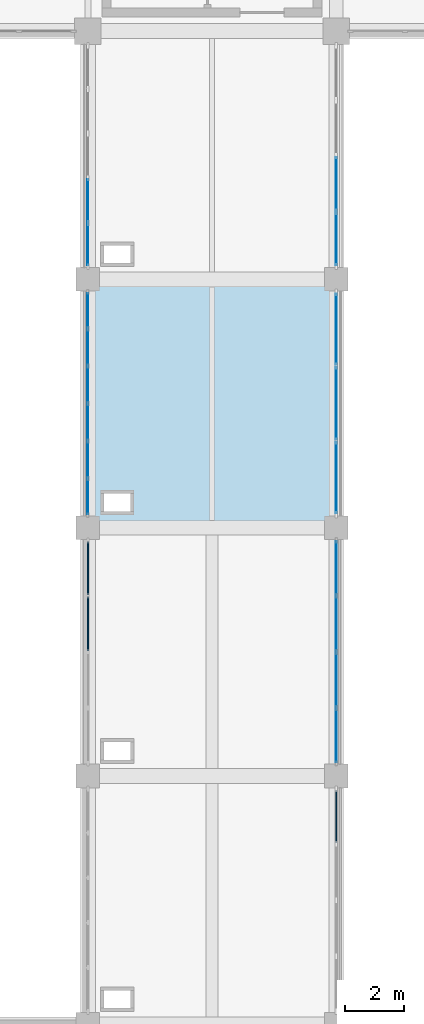
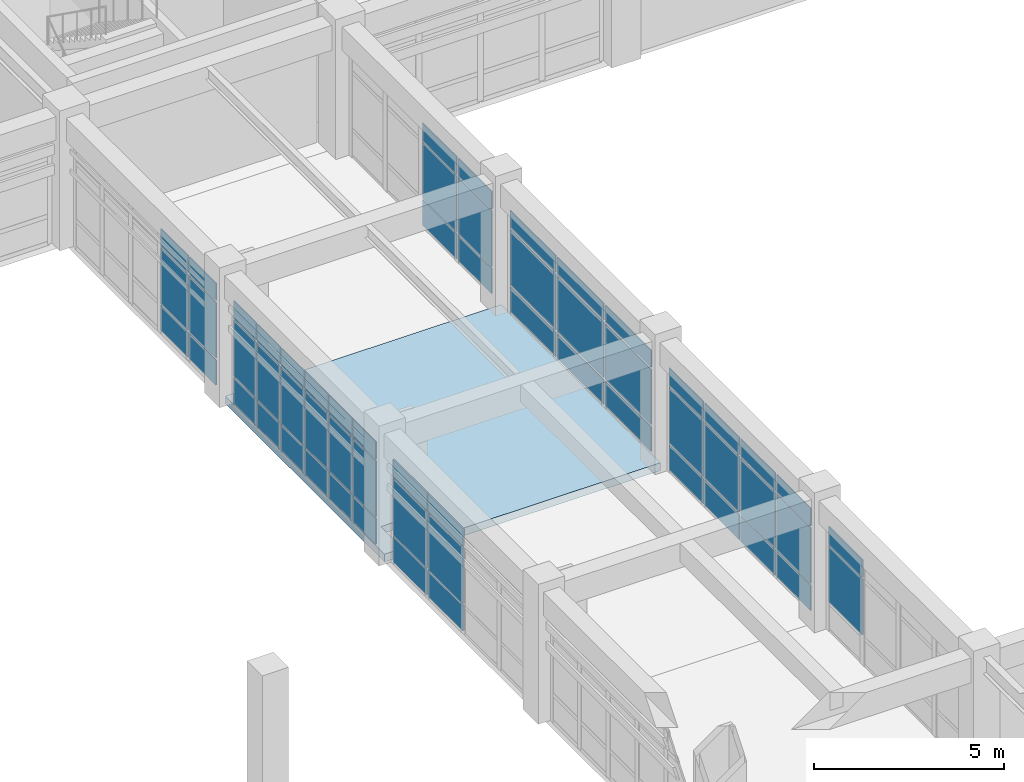
# One storey, part 65 of 99: 59 plates, 1 slab, 7 elements without a shape of their own.
"""IFC4 building model written with IfcOpenShell, lengths in metres."""

from ifc_helpers import new_model, si_unit, direction, frame, origin, origin_2d, place, context, subcontext, project, spatial, polyline, rectangle, outline, extrude, material, layer, layer_set, type_object, element, aggregate, save


model = new_model("IFC4")

# Units and contexts
model_context = context("Model", 3, precision=1e-05, world=origin(), true_north=direction((0.0, 1.0)))
body_context = subcontext(model_context, "Body", "Model", "MODEL_VIEW")
ifc_project = project(units=[si_unit("LENGTHUNIT", "METRE"), si_unit("AREAUNIT", "SQUARE_METRE"), si_unit("VOLUMEUNIT", "CUBIC_METRE"), si_unit("PLANEANGLEUNIT", "RADIAN"), si_unit("MASSUNIT", "GRAM", prefix="KILO")], contexts=[model_context])

# Site, building, storey
site_placement = place(None, origin())
site = spatial("IfcSite", under=ifc_project, at=site_placement, CompositionType="ELEMENT")
building_placement = place(site_placement, origin())
building = spatial("IfcBuilding", under=site, at=building_placement, Name="Porcellanite Civic Hall", CompositionType="ELEMENT")
storey_placement = place(building_placement, frame((0.0, 0.0, 5.760009765625)))
storey = spatial("IfcBuildingStorey", under=building, at=storey_placement, Name="L01", CompositionType="ELEMENT", Elevation=5.760009765625)

# Curtain wall, plates
ifc_material_1 = material(Name="Anodised aluminium and solar laminated glass", Category="aluminium")
ifc_layer_1 = layer(ifc_material_1, 0.179931640625)
ifc_layer_set_1 = layer_set([ifc_layer_1], Name="Anodised aluminium and solar laminated glass")
curtain_wall_type_1 = type_object("IfcCurtainWallType", Name="CW-SYS06", PredefinedType="NOTDEFINED", material=ifc_layer_set_1)
curtain_wall_1_placement = place(storey_placement, origin())
curtain_wall_1 = element("IfcCurtainWall", 1, at=curtain_wall_1_placement, inside=storey, type_object=curtain_wall_type_1, Name="Curtain wall CW-080", PredefinedType="NOTDEFINED")
ifc_material_2 = material(Name="Cyclone laminated solar-control low-E glass", Category="glass")
ifc_layer_2 = layer(ifc_material_2, 0.02392578125)
ifc_layer_set_2 = layer_set([ifc_layer_2], Name="Cyclone laminated solar-control low-E glass")
plate_type_1 = type_object("IfcPlateType", Name="CWP-01", PredefinedType="CURTAIN_PANEL", material=ifc_layer_set_2)
plate_1_placement = place(storey_placement, frame((58.800048828125, 82.633056640625, 0.0498046875), z_axis=(0.0, 0.0, 1.0), x_axis=(0.0, -1.0, 0.0)))
plate_1 = element("IfcPlate", 2, at=plate_1_placement, type_object=plate_type_1, Name="CW-080 panel 1.1", PredefinedType="CURTAIN_PANEL", context=body_context, shape_type="SweptSolid", body=[
    extrude(rectangle(XDim=1.802001953125, YDim=0.02392578125, at=origin_2d()), origin(), (0.0, 0.0, 1.0), 0.824951171875),
])
plate_2_placement = place(storey_placement, frame((58.800048828125, 82.633056640625, 0.9248046875), z_axis=(0.0, 0.0, 1.0), x_axis=(0.0, -1.0, 0.0)))
plate_2 = element("IfcPlate", 3, at=plate_2_placement, type_object=plate_type_1, Name="CW-080 panel 1.2", PredefinedType="CURTAIN_PANEL", context=body_context, shape_type="SweptSolid", body=[
    extrude(rectangle(XDim=1.802001953125, YDim=0.02392578125, at=origin_2d()), origin(), (0.0, 0.0, 1.0), 1.800048828125),
])
plate_3_placement = place(storey_placement, frame((58.800048828125, 82.633056640625, 2.77490234375), z_axis=(0.0, 0.0, 1.0), x_axis=(0.0, -1.0, 0.0)))
plate_3 = element("IfcPlate", 4, at=plate_3_placement, type_object=plate_type_1, Name="CW-080 panel 1.3", PredefinedType="CURTAIN_PANEL", context=body_context, shape_type="SweptSolid", body=[
    extrude(rectangle(XDim=1.802001953125, YDim=0.02392578125, at=origin_2d()), origin(), (0.0, 0.0, 1.0), 0.574951171875),
])
plate_4_placement = place(storey_placement, frame((58.800048828125, 80.749755859375, 0.0498046875), z_axis=(0.0, 0.0, 1.0), x_axis=(0.0, -1.0, 0.0)))
plate_4 = element("IfcPlate", 5, at=plate_4_placement, type_object=plate_type_1, Name="CW-080 panel 2.1", PredefinedType="CURTAIN_PANEL", context=body_context, shape_type="SweptSolid", body=[
    extrude(rectangle(XDim=1.83447265625, YDim=0.02392578125, at=origin_2d()), origin(), (0.0, 0.0, 1.0), 0.824951171875),
])
plate_5_placement = place(storey_placement, frame((58.800048828125, 80.749755859375, 0.9248046875), z_axis=(0.0, 0.0, 1.0), x_axis=(0.0, -1.0, 0.0)))
plate_5 = element("IfcPlate", 6, at=plate_5_placement, type_object=plate_type_1, Name="CW-080 panel 2.2", PredefinedType="CURTAIN_PANEL", context=body_context, shape_type="SweptSolid", body=[
    extrude(rectangle(XDim=1.83447265625, YDim=0.02392578125, at=origin_2d()), origin(), (0.0, 0.0, 1.0), 1.800048828125),
])
plate_6_placement = place(storey_placement, frame((58.800048828125, 80.749755859375, 2.77490234375), z_axis=(0.0, 0.0, 1.0), x_axis=(0.0, -1.0, 0.0)))
plate_6 = element("IfcPlate", 7, at=plate_6_placement, type_object=plate_type_1, Name="CW-080 panel 2.3", PredefinedType="CURTAIN_PANEL", context=body_context, shape_type="SweptSolid", body=[
    extrude(rectangle(XDim=1.83447265625, YDim=0.02392578125, at=origin_2d()), origin(), (0.0, 0.0, 1.0), 0.574951171875),
])
plate_7_placement = place(storey_placement, frame((58.800048828125, 78.850341796875, 0.0498046875), z_axis=(0.0, 0.0, 1.0), x_axis=(0.0, -1.0, 0.0)))
plate_7 = element("IfcPlate", 8, at=plate_7_placement, type_object=plate_type_1, Name="CW-080 panel 3.1", PredefinedType="CURTAIN_PANEL", context=body_context, shape_type="SweptSolid", body=[
    extrude(rectangle(XDim=1.83447265625, YDim=0.02392578125, at=origin_2d()), origin(), (0.0, 0.0, 1.0), 0.824951171875),
])
plate_8_placement = place(storey_placement, frame((58.800048828125, 78.850341796875, 0.9248046875), z_axis=(0.0, 0.0, 1.0), x_axis=(0.0, -1.0, 0.0)))
plate_8 = element("IfcPlate", 9, at=plate_8_placement, type_object=plate_type_1, Name="CW-080 panel 3.2", PredefinedType="CURTAIN_PANEL", context=body_context, shape_type="SweptSolid", body=[
    extrude(rectangle(XDim=1.83447265625, YDim=0.02392578125, at=origin_2d()), origin(), (0.0, 0.0, 1.0), 1.800048828125),
])
plate_9_placement = place(storey_placement, frame((58.800048828125, 78.850341796875, 2.77490234375), z_axis=(0.0, 0.0, 1.0), x_axis=(0.0, -1.0, 0.0)))
plate_9 = element("IfcPlate", 10, at=plate_9_placement, type_object=plate_type_1, Name="CW-080 panel 3.3", PredefinedType="CURTAIN_PANEL", context=body_context, shape_type="SweptSolid", body=[
    extrude(rectangle(XDim=1.83447265625, YDim=0.02392578125, at=origin_2d()), origin(), (0.0, 0.0, 1.0), 0.574951171875),
])
plate_10_placement = place(storey_placement, frame((58.800048828125, 76.967041015625, 0.0498046875), z_axis=(0.0, 0.0, 1.0), x_axis=(0.0, -1.0, 0.0)))
plate_10 = element("IfcPlate", 11, at=plate_10_placement, type_object=plate_type_1, Name="CW-080 panel 4.1", PredefinedType="CURTAIN_PANEL", context=body_context, shape_type="SweptSolid", body=[
    extrude(rectangle(XDim=1.802001953125, YDim=0.02392578125, at=origin_2d()), origin(), (0.0, 0.0, 1.0), 0.824951171875),
])
plate_11_placement = place(storey_placement, frame((58.800048828125, 76.967041015625, 0.9248046875), z_axis=(0.0, 0.0, 1.0), x_axis=(0.0, -1.0, 0.0)))
plate_11 = element("IfcPlate", 12, at=plate_11_placement, type_object=plate_type_1, Name="CW-080 panel 4.2", PredefinedType="CURTAIN_PANEL", context=body_context, shape_type="SweptSolid", body=[
    extrude(rectangle(XDim=1.802001953125, YDim=0.02392578125, at=origin_2d()), origin(), (0.0, 0.0, 1.0), 1.800048828125),
])
plate_12_placement = place(storey_placement, frame((58.800048828125, 76.967041015625, 2.77490234375), z_axis=(0.0, 0.0, 1.0), x_axis=(0.0, -1.0, 0.0)))
plate_12 = element("IfcPlate", 13, at=plate_12_placement, type_object=plate_type_1, Name="CW-080 panel 4.3", PredefinedType="CURTAIN_PANEL", context=body_context, shape_type="SweptSolid", body=[
    extrude(rectangle(XDim=1.802001953125, YDim=0.02392578125, at=origin_2d()), origin(), (0.0, 0.0, 1.0), 0.574951171875),
])
aggregate(curtain_wall_1, [plate_1, plate_2, plate_3, plate_4, plate_5, plate_6, plate_7, plate_8, plate_9, plate_10, plate_11, plate_12])

ifc_material_3 = material(Name="Anodised aluminium and solar laminated glass", Category="aluminium")
ifc_layer_3 = layer(ifc_material_3, 0.179931640625)
ifc_layer_set_3 = layer_set([ifc_layer_3], Name="Anodised aluminium and solar laminated glass")
curtain_wall_type_2 = type_object("IfcCurtainWallType", Name="CW-SYS07", PredefinedType="NOTDEFINED", material=ifc_layer_set_3)
curtain_wall_2_placement = place(storey_placement, origin())
curtain_wall_2 = element("IfcCurtainWall", 14, at=curtain_wall_2_placement, inside=storey, type_object=curtain_wall_type_2, Name="Curtain wall CW-081", PredefinedType="NOTDEFINED")
ifc_material_4 = material(Name="Cyclone laminated solar-control low-E glass", Category="glass")
ifc_layer_4 = layer(ifc_material_4, 0.02587890625)
ifc_layer_set_4 = layer_set([ifc_layer_4], Name="Cyclone laminated solar-control low-E glass")
plate_type_2 = type_object("IfcPlateType", Name="CWP-02", PredefinedType="CURTAIN_PANEL", material=ifc_layer_set_4)
plate_13_placement = place(storey_placement, frame((50.39990234375, 85.049072265625, 0.0498046875), z_axis=(0.0, 0.0, 1.0), x_axis=(0.0, 1.0, 0.0)))
plate_13 = element("IfcPlate", 15, at=plate_13_placement, type_object=plate_type_2, Name="CW-081 panel 1.1", PredefinedType="CURTAIN_PANEL", context=body_context, shape_type="SweptSolid", body=[
    extrude(rectangle(XDim=1.17626953125, YDim=0.02587890625, at=origin_2d()), origin(), (0.0, 0.0, 1.0), 0.824951171875),
])
plate_14_placement = place(storey_placement, frame((50.39990234375, 85.049072265625, 0.9248046875), z_axis=(0.0, 0.0, 1.0), x_axis=(0.0, 1.0, 0.0)))
plate_14 = element("IfcPlate", 16, at=plate_14_placement, type_object=plate_type_2, Name="CW-081 panel 1.2", PredefinedType="CURTAIN_PANEL", context=body_context, shape_type="SweptSolid", body=[
    extrude(rectangle(XDim=1.17626953125, YDim=0.02587890625, at=origin_2d()), origin(), (0.0, 0.0, 1.0), 1.800048828125),
])
plate_15_placement = place(storey_placement, frame((50.39990234375, 85.049072265625, 2.77490234375), z_axis=(0.0, 0.0, 1.0), x_axis=(0.0, 1.0, 0.0)))
plate_15 = element("IfcPlate", 17, at=plate_15_placement, type_object=plate_type_2, Name="CW-081 panel 1.3", PredefinedType="CURTAIN_PANEL", context=body_context, shape_type="SweptSolid", body=[
    extrude(rectangle(XDim=1.17626953125, YDim=0.02587890625, at=origin_2d()), origin(), (0.0, 0.0, 1.0), 0.574951171875),
])
plate_16_placement = place(storey_placement, frame((50.39990234375, 86.300537109375, 0.0498046875), z_axis=(0.0, 0.0, 1.0), x_axis=(0.0, 1.0, 0.0)))
plate_16 = element("IfcPlate", 18, at=plate_16_placement, type_object=plate_type_2, Name="CW-081 panel 2.1", PredefinedType="CURTAIN_PANEL", context=body_context, shape_type="SweptSolid", body=[
    extrude(rectangle(XDim=1.206298828125, YDim=0.02587890625, at=origin_2d()), origin(), (0.0, 0.0, 1.0), 0.824951171875),
])
plate_17_placement = place(storey_placement, frame((50.39990234375, 86.300537109375, 0.9248046875), z_axis=(0.0, 0.0, 1.0), x_axis=(0.0, 1.0, 0.0)))
plate_17 = element("IfcPlate", 19, at=plate_17_placement, type_object=plate_type_2, Name="CW-081 panel 2.2", PredefinedType="CURTAIN_PANEL", context=body_context, shape_type="SweptSolid", body=[
    extrude(rectangle(XDim=1.206298828125, YDim=0.02587890625, at=origin_2d()), origin(), (0.0, 0.0, 1.0), 1.800048828125),
])
plate_18_placement = place(storey_placement, frame((50.39990234375, 86.300537109375, 2.77490234375), z_axis=(0.0, 0.0, 1.0), x_axis=(0.0, 1.0, 0.0)))
plate_18 = element("IfcPlate", 20, at=plate_18_placement, type_object=plate_type_2, Name="CW-081 panel 2.3", PredefinedType="CURTAIN_PANEL", context=body_context, shape_type="SweptSolid", body=[
    extrude(rectangle(XDim=1.206298828125, YDim=0.02587890625, at=origin_2d()), origin(), (0.0, 0.0, 1.0), 0.574951171875),
])
plate_19_placement = place(storey_placement, frame((50.39990234375, 87.56689453125, 0.0498046875), z_axis=(0.0, 0.0, 1.0), x_axis=(0.0, 1.0, 0.0)))
plate_19 = element("IfcPlate", 21, at=plate_19_placement, type_object=plate_type_2, Name="CW-081 panel 3.1", PredefinedType="CURTAIN_PANEL", context=body_context, shape_type="SweptSolid", body=[
    extrude(rectangle(XDim=1.206298828125, YDim=0.02587890625, at=origin_2d()), origin(), (0.0, 0.0, 1.0), 0.824951171875),
])
plate_20_placement = place(storey_placement, frame((50.39990234375, 87.56689453125, 0.9248046875), z_axis=(0.0, 0.0, 1.0), x_axis=(0.0, 1.0, 0.0)))
plate_20 = element("IfcPlate", 22, at=plate_20_placement, type_object=plate_type_2, Name="CW-081 panel 3.2", PredefinedType="CURTAIN_PANEL", context=body_context, shape_type="SweptSolid", body=[
    extrude(rectangle(XDim=1.206298828125, YDim=0.02587890625, at=origin_2d()), origin(), (0.0, 0.0, 1.0), 1.800048828125),
])
plate_21_placement = place(storey_placement, frame((50.39990234375, 87.56689453125, 2.77490234375), z_axis=(0.0, 0.0, 1.0), x_axis=(0.0, 1.0, 0.0)))
plate_21 = element("IfcPlate", 23, at=plate_21_placement, type_object=plate_type_2, Name="CW-081 panel 3.3", PredefinedType="CURTAIN_PANEL", context=body_context, shape_type="SweptSolid", body=[
    extrude(rectangle(XDim=1.206298828125, YDim=0.02587890625, at=origin_2d()), origin(), (0.0, 0.0, 1.0), 0.574951171875),
])
plate_22_placement = place(storey_placement, frame((50.39990234375, 88.833251953125, 0.0498046875), z_axis=(0.0, 0.0, 1.0), x_axis=(0.0, 1.0, 0.0)))
plate_22 = element("IfcPlate", 24, at=plate_22_placement, type_object=plate_type_2, Name="CW-081 panel 4.1", PredefinedType="CURTAIN_PANEL", context=body_context, shape_type="SweptSolid", body=[
    extrude(rectangle(XDim=1.206298828125, YDim=0.02587890625, at=origin_2d()), origin(), (0.0, 0.0, 1.0), 0.824951171875),
])
plate_23_placement = place(storey_placement, frame((50.39990234375, 88.833251953125, 0.9248046875), z_axis=(0.0, 0.0, 1.0), x_axis=(0.0, 1.0, 0.0)))
plate_23 = element("IfcPlate", 25, at=plate_23_placement, type_object=plate_type_2, Name="CW-081 panel 4.2", PredefinedType="CURTAIN_PANEL", context=body_context, shape_type="SweptSolid", body=[
    extrude(rectangle(XDim=1.206298828125, YDim=0.02587890625, at=origin_2d()), origin(), (0.0, 0.0, 1.0), 1.800048828125),
])
plate_24_placement = place(storey_placement, frame((50.39990234375, 88.833251953125, 2.77490234375), z_axis=(0.0, 0.0, 1.0), x_axis=(0.0, 1.0, 0.0)))
plate_24 = element("IfcPlate", 26, at=plate_24_placement, type_object=plate_type_2, Name="CW-081 panel 4.3", PredefinedType="CURTAIN_PANEL", context=body_context, shape_type="SweptSolid", body=[
    extrude(rectangle(XDim=1.206298828125, YDim=0.02587890625, at=origin_2d()), origin(), (0.0, 0.0, 1.0), 0.574951171875),
])
plate_25_placement = place(storey_placement, frame((50.39990234375, 90.099609375, 0.0498046875), z_axis=(0.0, 0.0, 1.0), x_axis=(0.0, 1.0, 0.0)))
plate_25 = element("IfcPlate", 27, at=plate_25_placement, type_object=plate_type_2, Name="CW-081 panel 5.1", PredefinedType="CURTAIN_PANEL", context=body_context, shape_type="SweptSolid", body=[
    extrude(rectangle(XDim=1.206298828125, YDim=0.02587890625, at=origin_2d()), origin(), (0.0, 0.0, 1.0), 0.824951171875),
])
plate_26_placement = place(storey_placement, frame((50.39990234375, 90.099609375, 0.9248046875), z_axis=(0.0, 0.0, 1.0), x_axis=(0.0, 1.0, 0.0)))
plate_26 = element("IfcPlate", 28, at=plate_26_placement, type_object=plate_type_2, Name="CW-081 panel 5.2", PredefinedType="CURTAIN_PANEL", context=body_context, shape_type="SweptSolid", body=[
    extrude(rectangle(XDim=1.206298828125, YDim=0.02587890625, at=origin_2d()), origin(), (0.0, 0.0, 1.0), 1.800048828125),
])
plate_27_placement = place(storey_placement, frame((50.39990234375, 90.099609375, 2.77490234375), z_axis=(0.0, 0.0, 1.0), x_axis=(0.0, 1.0, 0.0)))
plate_27 = element("IfcPlate", 29, at=plate_27_placement, type_object=plate_type_2, Name="CW-081 panel 5.3", PredefinedType="CURTAIN_PANEL", context=body_context, shape_type="SweptSolid", body=[
    extrude(rectangle(XDim=1.206298828125, YDim=0.02587890625, at=origin_2d()), origin(), (0.0, 0.0, 1.0), 0.574951171875),
])
plate_28_placement = place(storey_placement, frame((50.39990234375, 91.350830078125, 0.0498046875), z_axis=(0.0, 0.0, 1.0), x_axis=(0.0, 1.0, 0.0)))
plate_28 = element("IfcPlate", 30, at=plate_28_placement, type_object=plate_type_2, Name="CW-081 panel 6.1", PredefinedType="CURTAIN_PANEL", context=body_context, shape_type="SweptSolid", body=[
    extrude(rectangle(XDim=1.17626953125, YDim=0.02587890625, at=origin_2d()), origin(), (0.0, 0.0, 1.0), 0.824951171875),
])
plate_29_placement = place(storey_placement, frame((50.39990234375, 91.350830078125, 0.9248046875), z_axis=(0.0, 0.0, 1.0), x_axis=(0.0, 1.0, 0.0)))
plate_29 = element("IfcPlate", 31, at=plate_29_placement, type_object=plate_type_2, Name="CW-081 panel 6.2", PredefinedType="CURTAIN_PANEL", context=body_context, shape_type="SweptSolid", body=[
    extrude(rectangle(XDim=1.17626953125, YDim=0.02587890625, at=origin_2d()), origin(), (0.0, 0.0, 1.0), 1.800048828125),
])
plate_30_placement = place(storey_placement, frame((50.39990234375, 91.350830078125, 2.77490234375), z_axis=(0.0, 0.0, 1.0), x_axis=(0.0, 1.0, 0.0)))
plate_30 = element("IfcPlate", 32, at=plate_30_placement, type_object=plate_type_2, Name="CW-081 panel 6.3", PredefinedType="CURTAIN_PANEL", context=body_context, shape_type="SweptSolid", body=[
    extrude(rectangle(XDim=1.17626953125, YDim=0.02587890625, at=origin_2d()), origin(), (0.0, 0.0, 1.0), 0.574951171875),
])
aggregate(curtain_wall_2, [plate_13, plate_14, plate_15, plate_16, plate_17, plate_18, plate_19, plate_20, plate_21, plate_22, plate_23, plate_24, plate_25, plate_26, plate_27, plate_28, plate_29, plate_30])

ifc_material_5 = material(Name="Anodised aluminium and solar laminated glass", Category="aluminium")
ifc_layer_5 = layer(ifc_material_5, 0.179931640625)
ifc_layer_set_5 = layer_set([ifc_layer_5], Name="Anodised aluminium and solar laminated glass")
curtain_wall_type_3 = type_object("IfcCurtainWallType", Name="CW-SYS08", PredefinedType="NOTDEFINED", material=ifc_layer_set_5)
curtain_wall_3_placement = place(storey_placement, origin())
curtain_wall_3 = element("IfcCurtainWall", 33, at=curtain_wall_3_placement, inside=storey, type_object=curtain_wall_type_3, Name="Curtain wall CW-082", PredefinedType="NOTDEFINED")
ifc_material_6 = material(Name="Cyclone laminated solar-control low-E glass", Category="glass")
ifc_layer_6 = layer(ifc_material_6, 0.028076171875)
ifc_layer_set_6 = layer_set([ifc_layer_6], Name="Cyclone laminated solar-control low-E glass")
plate_type_3 = type_object("IfcPlateType", Name="CWP-03", PredefinedType="CURTAIN_PANEL", material=ifc_layer_set_6)
plate_31_placement = place(storey_placement, frame((58.800048828125, 90.712646484375, 0.070068359375), z_axis=(0.0, 0.0, 1.0), x_axis=(0.0, -1.0, 0.0)))
plate_31 = element("IfcPlate", 34, at=plate_31_placement, type_object=plate_type_3, Name="CW-082 panel 1.1", PredefinedType="CURTAIN_PANEL", context=body_context, shape_type="SweptSolid", body=[
    extrude(rectangle(XDim=2.41259765625, YDim=0.028076171875, at=origin_2d()), origin(), (0.0, 0.0, 1.0), 0.794921875),
])
plate_32_placement = place(storey_placement, frame((58.800048828125, 90.712646484375, 0.93505859375), z_axis=(0.0, 0.0, 1.0), x_axis=(0.0, -1.0, 0.0)))
plate_32 = element("IfcPlate", 35, at=plate_32_placement, type_object=plate_type_3, Name="CW-082 panel 1.2", PredefinedType="CURTAIN_PANEL", context=body_context, shape_type="SweptSolid", body=[
    extrude(rectangle(XDim=2.41259765625, YDim=0.028076171875, at=origin_2d()), origin(), (0.0, 0.0, 1.0), 1.780029296875),
])
plate_33_placement = place(storey_placement, frame((58.800048828125, 90.712646484375, 2.784912109375), z_axis=(0.0, 0.0, 1.0), x_axis=(0.0, -1.0, 0.0)))
plate_33 = element("IfcPlate", 36, at=plate_33_placement, type_object=plate_type_3, Name="CW-082 panel 1.3", PredefinedType="CURTAIN_PANEL", context=body_context, shape_type="SweptSolid", body=[
    extrude(rectangle(XDim=2.41259765625, YDim=0.028076171875, at=origin_2d()), origin(), (0.0, 0.0, 1.0), 0.544921875),
])
plate_34_placement = place(storey_placement, frame((58.800048828125, 88.199951171875, 0.070068359375), z_axis=(0.0, 0.0, 1.0), x_axis=(0.0, -1.0, 0.0)))
plate_34 = element("IfcPlate", 37, at=plate_34_placement, type_object=plate_type_3, Name="CW-082 panel 2.1", PredefinedType="CURTAIN_PANEL", context=body_context, shape_type="SweptSolid", body=[
    extrude(rectangle(XDim=2.45263671875, YDim=0.028076171875, at=origin_2d()), origin(), (0.0, 0.0, 1.0), 0.794921875),
])
plate_35_placement = place(storey_placement, frame((58.800048828125, 88.199951171875, 0.93505859375), z_axis=(0.0, 0.0, 1.0), x_axis=(0.0, -1.0, 0.0)))
plate_35 = element("IfcPlate", 38, at=plate_35_placement, type_object=plate_type_3, Name="CW-082 panel 2.2", PredefinedType="CURTAIN_PANEL", context=body_context, shape_type="SweptSolid", body=[
    extrude(rectangle(XDim=2.45263671875, YDim=0.028076171875, at=origin_2d()), origin(), (0.0, 0.0, 1.0), 1.780029296875),
])
plate_36_placement = place(storey_placement, frame((58.800048828125, 88.199951171875, 2.784912109375), z_axis=(0.0, 0.0, 1.0), x_axis=(0.0, -1.0, 0.0)))
plate_36 = element("IfcPlate", 39, at=plate_36_placement, type_object=plate_type_3, Name="CW-082 panel 2.3", PredefinedType="CURTAIN_PANEL", context=body_context, shape_type="SweptSolid", body=[
    extrude(rectangle(XDim=2.45263671875, YDim=0.028076171875, at=origin_2d()), origin(), (0.0, 0.0, 1.0), 0.544921875),
])
plate_37_placement = place(storey_placement, frame((58.800048828125, 85.687255859375, 0.070068359375), z_axis=(0.0, 0.0, 1.0), x_axis=(0.0, -1.0, 0.0)))
plate_37 = element("IfcPlate", 40, at=plate_37_placement, type_object=plate_type_3, Name="CW-082 panel 3.1", PredefinedType="CURTAIN_PANEL", context=body_context, shape_type="SweptSolid", body=[
    extrude(rectangle(XDim=2.41259765625, YDim=0.028076171875, at=origin_2d()), origin(), (0.0, 0.0, 1.0), 0.794921875),
])
plate_38_placement = place(storey_placement, frame((58.800048828125, 85.687255859375, 0.93505859375), z_axis=(0.0, 0.0, 1.0), x_axis=(0.0, -1.0, 0.0)))
plate_38 = element("IfcPlate", 41, at=plate_38_placement, type_object=plate_type_3, Name="CW-082 panel 3.2", PredefinedType="CURTAIN_PANEL", context=body_context, shape_type="SweptSolid", body=[
    extrude(rectangle(XDim=2.41259765625, YDim=0.028076171875, at=origin_2d()), origin(), (0.0, 0.0, 1.0), 1.780029296875),
])
plate_39_placement = place(storey_placement, frame((58.800048828125, 85.687255859375, 2.784912109375), z_axis=(0.0, 0.0, 1.0), x_axis=(0.0, -1.0, 0.0)))
plate_39 = element("IfcPlate", 42, at=plate_39_placement, type_object=plate_type_3, Name="CW-082 panel 3.3", PredefinedType="CURTAIN_PANEL", context=body_context, shape_type="SweptSolid", body=[
    extrude(rectangle(XDim=2.41259765625, YDim=0.028076171875, at=origin_2d()), origin(), (0.0, 0.0, 1.0), 0.544921875),
])
aggregate(curtain_wall_3, [plate_31, plate_32, plate_33, plate_34, plate_35, plate_36, plate_37, plate_38, plate_39])

ifc_material_7 = material(Name="Anodised aluminium and solar laminated glass", Category="aluminium")
ifc_layer_7 = layer(ifc_material_7, 0.179931640625)
ifc_layer_set_7 = layer_set([ifc_layer_7], Name="Anodised aluminium and solar laminated glass")
curtain_wall_type_4 = type_object("IfcCurtainWallType", Name="CW-SYS01", PredefinedType="NOTDEFINED", material=ifc_layer_set_7)
curtain_wall_4_placement = place(storey_placement, origin())
curtain_wall_4 = element("IfcCurtainWall", 43, at=curtain_wall_4_placement, inside=storey, type_object=curtain_wall_type_4, Name="Curtain wall CW-083", PredefinedType="NOTDEFINED")
ifc_material_8 = material(Name="Cyclone laminated solar-control low-E glass", Category="glass")
ifc_layer_8 = layer(ifc_material_8, 0.030029296875)
ifc_layer_set_8 = layer_set([ifc_layer_8], Name="Cyclone laminated solar-control low-E glass")
plate_type_4 = type_object("IfcPlateType", Name="CWP-04", PredefinedType="CURTAIN_PANEL", material=ifc_layer_set_8)
plate_40_placement = place(storey_placement, frame((50.39990234375, 93.5732421875, 0.06005859375), z_axis=(0.0, 0.0, 1.0), x_axis=(0.0, 1.0, 0.0)))
plate_40 = element("IfcPlate", 44, at=plate_40_placement, type_object=plate_type_4, Name="CW-083 panel 1.1", PredefinedType="CURTAIN_PANEL", context=body_context, shape_type="SweptSolid", body=[
    extrude(rectangle(XDim=1.404541015625, YDim=0.030029296875, at=origin_2d()), origin(), (0.0, 0.0, 1.0), 0.81005859375),
])
plate_41_placement = place(storey_placement, frame((50.39990234375, 93.5732421875, 0.929931640625), z_axis=(0.0, 0.0, 1.0), x_axis=(0.0, 1.0, 0.0)))
plate_41 = element("IfcPlate", 45, at=plate_41_placement, type_object=plate_type_4, Name="CW-083 panel 1.2", PredefinedType="CURTAIN_PANEL", context=body_context, shape_type="SweptSolid", body=[
    extrude(rectangle(XDim=1.404541015625, YDim=0.030029296875, at=origin_2d()), origin(), (0.0, 0.0, 1.0), 1.7900390625),
])
plate_42_placement = place(storey_placement, frame((50.39990234375, 93.5732421875, 2.780029296875), z_axis=(0.0, 0.0, 1.0), x_axis=(0.0, 1.0, 0.0)))
plate_42 = element("IfcPlate", 46, at=plate_42_placement, type_object=plate_type_4, Name="CW-083 panel 1.3", PredefinedType="CURTAIN_PANEL", context=body_context, shape_type="SweptSolid", body=[
    extrude(rectangle(XDim=1.404541015625, YDim=0.030029296875, at=origin_2d()), origin(), (0.0, 0.0, 1.0), 0.56005859375),
])
plate_43_placement = place(storey_placement, frame((50.39990234375, 95.0654296875, 0.06005859375), z_axis=(0.0, 0.0, 1.0), x_axis=(0.0, 1.0, 0.0)))
plate_43 = element("IfcPlate", 47, at=plate_43_placement, type_object=plate_type_4, Name="CW-083 panel 2.1", PredefinedType="CURTAIN_PANEL", context=body_context, shape_type="SweptSolid", body=[
    extrude(rectangle(XDim=1.439697265625, YDim=0.030029296875, at=origin_2d()), origin(), (0.0, 0.0, 1.0), 0.81005859375),
])
plate_44_placement = place(storey_placement, frame((50.39990234375, 95.0654296875, 0.929931640625), z_axis=(0.0, 0.0, 1.0), x_axis=(0.0, 1.0, 0.0)))
plate_44 = element("IfcPlate", 48, at=plate_44_placement, type_object=plate_type_4, Name="CW-083 panel 2.2", PredefinedType="CURTAIN_PANEL", context=body_context, shape_type="SweptSolid", body=[
    extrude(rectangle(XDim=1.439697265625, YDim=0.030029296875, at=origin_2d()), origin(), (0.0, 0.0, 1.0), 1.7900390625),
])
plate_45_placement = place(storey_placement, frame((50.39990234375, 95.0654296875, 2.780029296875), z_axis=(0.0, 0.0, 1.0), x_axis=(0.0, 1.0, 0.0)))
plate_45 = element("IfcPlate", 49, at=plate_45_placement, type_object=plate_type_4, Name="CW-083 panel 2.3", PredefinedType="CURTAIN_PANEL", context=body_context, shape_type="SweptSolid", body=[
    extrude(rectangle(XDim=1.439697265625, YDim=0.030029296875, at=origin_2d()), origin(), (0.0, 0.0, 1.0), 0.56005859375),
])
aggregate(curtain_wall_4, [plate_40, plate_41, plate_42, plate_43, plate_44, plate_45])

ifc_material_9 = material(Name="Anodised aluminium and solar laminated glass", Category="aluminium")
ifc_layer_9 = layer(ifc_material_9, 0.179931640625)
ifc_layer_set_9 = layer_set([ifc_layer_9], Name="Anodised aluminium and solar laminated glass")
curtain_wall_type_5 = type_object("IfcCurtainWallType", Name="CW-SYS03", PredefinedType="NOTDEFINED", material=ifc_layer_set_9)
curtain_wall_5_placement = place(storey_placement, origin())
curtain_wall_5 = element("IfcCurtainWall", 50, at=curtain_wall_5_placement, inside=storey, type_object=curtain_wall_type_5, Name="Curtain wall CW-084", PredefinedType="NOTDEFINED")
ifc_material_10 = material(Name="Cyclone laminated solar-control low-E glass", Category="glass")
ifc_layer_10 = layer(ifc_material_10, 0.031982421875)
ifc_layer_set_10 = layer_set([ifc_layer_10], Name="Cyclone laminated solar-control low-E glass")
plate_type_5 = type_object("IfcPlateType", Name="CWP-05", PredefinedType="CURTAIN_PANEL", material=ifc_layer_set_10)
plate_46_placement = place(storey_placement, frame((58.800048828125, 95.631591796875, 0.054931640625), z_axis=(0.0, 0.0, 1.0), x_axis=(0.0, -1.0, 0.0)))
plate_46 = element("IfcPlate", 51, at=plate_46_placement, type_object=plate_type_5, Name="CW-084 panel 3.1", PredefinedType="CURTAIN_PANEL", context=body_context, shape_type="SweptSolid", body=[
    extrude(rectangle(XDim=1.806884765625, YDim=0.031982421875, at=origin_2d()), origin(), (0.0, 0.0, 1.0), 0.8173828125),
])
plate_47_placement = place(storey_placement, frame((58.800048828125, 95.631591796875, 0.927490234375), z_axis=(0.0, 0.0, 1.0), x_axis=(0.0, -1.0, 0.0)))
plate_47 = element("IfcPlate", 52, at=plate_47_placement, type_object=plate_type_5, Name="CW-084 panel 3.2", PredefinedType="CURTAIN_PANEL", context=body_context, shape_type="SweptSolid", body=[
    extrude(rectangle(XDim=1.806884765625, YDim=0.031982421875, at=origin_2d()), origin(), (0.0, 0.0, 1.0), 1.794921875),
])
plate_48_placement = place(storey_placement, frame((58.800048828125, 95.631591796875, 2.777587890625), z_axis=(0.0, 0.0, 1.0), x_axis=(0.0, -1.0, 0.0)))
plate_48 = element("IfcPlate", 53, at=plate_48_placement, type_object=plate_type_5, Name="CW-084 panel 3.3", PredefinedType="CURTAIN_PANEL", context=body_context, shape_type="SweptSolid", body=[
    extrude(rectangle(XDim=1.806884765625, YDim=0.031982421875, at=origin_2d()), origin(), (0.0, 0.0, 1.0), 0.5673828125),
])
plate_49_placement = place(storey_placement, frame((58.800048828125, 93.764404296875, 0.054931640625), z_axis=(0.0, 0.0, 1.0), x_axis=(0.0, -1.0, 0.0)))
plate_49 = element("IfcPlate", 54, at=plate_49_placement, type_object=plate_type_5, Name="CW-084 panel 4.1", PredefinedType="CURTAIN_PANEL", context=body_context, shape_type="SweptSolid", body=[
    extrude(rectangle(XDim=1.76708984375, YDim=0.031982421875, at=origin_2d()), origin(), (0.0, 0.0, 1.0), 0.8173828125),
])
plate_50_placement = place(storey_placement, frame((58.800048828125, 93.764404296875, 0.927490234375), z_axis=(0.0, 0.0, 1.0), x_axis=(0.0, -1.0, 0.0)))
plate_50 = element("IfcPlate", 55, at=plate_50_placement, type_object=plate_type_5, Name="CW-084 panel 4.2", PredefinedType="CURTAIN_PANEL", context=body_context, shape_type="SweptSolid", body=[
    extrude(rectangle(XDim=1.76708984375, YDim=0.031982421875, at=origin_2d()), origin(), (0.0, 0.0, 1.0), 1.794921875),
])
plate_51_placement = place(storey_placement, frame((58.800048828125, 93.764404296875, 2.777587890625), z_axis=(0.0, 0.0, 1.0), x_axis=(0.0, -1.0, 0.0)))
plate_51 = element("IfcPlate", 56, at=plate_51_placement, type_object=plate_type_5, Name="CW-084 panel 4.3", PredefinedType="CURTAIN_PANEL", context=body_context, shape_type="SweptSolid", body=[
    extrude(rectangle(XDim=1.76708984375, YDim=0.031982421875, at=origin_2d()), origin(), (0.0, 0.0, 1.0), 0.5673828125),
])
aggregate(curtain_wall_5, [plate_46, plate_47, plate_48, plate_49, plate_50, plate_51])

curtain_wall_6_placement = place(storey_placement, origin())
curtain_wall_6 = element("IfcCurtainWall", 57, at=curtain_wall_6_placement, inside=storey, type_object=curtain_wall_type_5, Name="Curtain wall CW-078", PredefinedType="NOTDEFINED")
ifc_material_11 = material(Name="Insulated ochre aluminium spandrel panel", Category="aluminium")
ifc_layer_11 = layer(ifc_material_11, 0.0419921875)
ifc_layer_set_11 = layer_set([ifc_layer_11], Name="Insulated ochre aluminium spandrel panel")
plate_type_6 = type_object("IfcPlateType", Name="CWP-09", PredefinedType="CURTAIN_PANEL", material=ifc_layer_set_11)
plate_52_placement = place(storey_placement, frame((58.800048828125, 74.229248046875, 0.927490234375), z_axis=(0.0, 0.0, 1.0), x_axis=(0.0, -1.0, 0.0)))
plate_52 = element("IfcPlate", 58, at=plate_52_placement, type_object=plate_type_6, Name="CW-078 panel 1.2", PredefinedType="CURTAIN_PANEL", context=body_context, shape_type="SweptSolid", body=[
    extrude(rectangle(XDim=1.779541015625, YDim=0.0419921875, at=origin_2d()), origin(), (0.0, 0.0, 1.0), 1.794921875),
])
plate_53_placement = place(storey_placement, frame((58.800048828125, 74.229248046875, 2.777587890625), z_axis=(0.0, 0.0, 1.0), x_axis=(0.0, -1.0, 0.0)))
plate_53 = element("IfcPlate", 59, at=plate_53_placement, type_object=plate_type_6, Name="CW-078 panel 1.3", PredefinedType="CURTAIN_PANEL", context=body_context, shape_type="SweptSolid", body=[
    extrude(rectangle(XDim=1.779541015625, YDim=0.0419921875, at=origin_2d()), origin(), (0.0, 0.0, 1.0), 0.5673828125),
])
aggregate(curtain_wall_6, [plate_52, plate_53])

ifc_material_12 = material(Name="Anodised aluminium and solar laminated glass", Category="aluminium")
ifc_layer_12 = layer(ifc_material_12, 0.179931640625)
ifc_layer_set_12 = layer_set([ifc_layer_12], Name="Anodised aluminium and solar laminated glass")
curtain_wall_type_6 = type_object("IfcCurtainWallType", Name="CW-SYS04", PredefinedType="NOTDEFINED", material=ifc_layer_set_12)
curtain_wall_7_placement = place(storey_placement, origin())
curtain_wall_7 = element("IfcCurtainWall", 60, at=curtain_wall_7_placement, inside=storey, type_object=curtain_wall_type_6, Name="Curtain wall CW-079", PredefinedType="NOTDEFINED")
ifc_material_13 = material(Name="Insulated ochre aluminium spandrel panel", Category="aluminium")
ifc_layer_13 = layer(ifc_material_13, 0.0458984375)
ifc_layer_set_13 = layer_set([ifc_layer_13], Name="Insulated ochre aluminium spandrel panel")
plate_type_7 = type_object("IfcPlateType", Name="CWP-10", PredefinedType="CURTAIN_PANEL", material=ifc_layer_set_13)
plate_54_placement = place(storey_placement, frame((50.39990234375, 80.749755859375, 0.054931640625), z_axis=(0.0, 0.0, 1.0), x_axis=(0.0, 1.0, 0.0)))
plate_54 = element("IfcPlate", 61, at=plate_54_placement, type_object=plate_type_7, Name="CW-079 panel 3.1", PredefinedType="CURTAIN_PANEL", context=body_context, shape_type="SweptSolid", body=[
    extrude(rectangle(XDim=1.824462890625, YDim=0.0458984375, at=origin_2d()), origin(), (0.0, 0.0, 1.0), 0.8173828125),
])
plate_55_placement = place(storey_placement, frame((50.39990234375, 80.749755859375, 0.927490234375), z_axis=(0.0, 0.0, 1.0), x_axis=(0.0, 1.0, 0.0)))
plate_55 = element("IfcPlate", 62, at=plate_55_placement, type_object=plate_type_7, Name="CW-079 panel 3.2", PredefinedType="CURTAIN_PANEL", context=body_context, shape_type="SweptSolid", body=[
    extrude(rectangle(XDim=1.824462890625, YDim=0.0458984375, at=origin_2d()), origin(), (0.0, 0.0, 1.0), 1.794921875),
])
plate_56_placement = place(storey_placement, frame((50.39990234375, 80.749755859375, 2.777587890625), z_axis=(0.0, 0.0, 1.0), x_axis=(0.0, 1.0, 0.0)))
plate_56 = element("IfcPlate", 63, at=plate_56_placement, type_object=plate_type_7, Name="CW-079 panel 3.3", PredefinedType="CURTAIN_PANEL", context=body_context, shape_type="SweptSolid", body=[
    extrude(rectangle(XDim=1.824462890625, YDim=0.0458984375, at=origin_2d()), origin(), (0.0, 0.0, 1.0), 0.5673828125),
])
plate_57_placement = place(storey_placement, frame((50.39990234375, 82.630615234375, 0.054931640625), z_axis=(0.0, 0.0, 1.0), x_axis=(0.0, 1.0, 0.0)))
plate_57 = element("IfcPlate", 64, at=plate_57_placement, type_object=plate_type_7, Name="CW-079 panel 4.1", PredefinedType="CURTAIN_PANEL", context=body_context, shape_type="SweptSolid", body=[
    extrude(rectangle(XDim=1.787109375, YDim=0.0458984375, at=origin_2d()), origin(), (0.0, 0.0, 1.0), 0.8173828125),
])
plate_58_placement = place(storey_placement, frame((50.39990234375, 82.630615234375, 0.927490234375), z_axis=(0.0, 0.0, 1.0), x_axis=(0.0, 1.0, 0.0)))
plate_58 = element("IfcPlate", 65, at=plate_58_placement, type_object=plate_type_7, Name="CW-079 panel 4.2", PredefinedType="CURTAIN_PANEL", context=body_context, shape_type="SweptSolid", body=[
    extrude(rectangle(XDim=1.787109375, YDim=0.0458984375, at=origin_2d()), origin(), (0.0, 0.0, 1.0), 1.794921875),
])
plate_59_placement = place(storey_placement, frame((50.39990234375, 82.630615234375, 2.777587890625), z_axis=(0.0, 0.0, 1.0), x_axis=(0.0, 1.0, 0.0)))
plate_59 = element("IfcPlate", 66, at=plate_59_placement, type_object=plate_type_7, Name="CW-079 panel 4.3", PredefinedType="CURTAIN_PANEL", context=body_context, shape_type="SweptSolid", body=[
    extrude(rectangle(XDim=1.787109375, YDim=0.0458984375, at=origin_2d()), origin(), (0.0, 0.0, 1.0), 0.5673828125),
])
aggregate(curtain_wall_7, [plate_54, plate_55, plate_56, plate_57, plate_58, plate_59])

# Slab
ifc_material_14 = material(Name="Concrete N40 (40 MPa)", Category="concrete")
ifc_layer_14 = layer(ifc_material_14, 0.25)
ifc_layer_set_14 = layer_set([ifc_layer_14], Name="Concrete N40 (40 MPa)")
slab_type = type_object("IfcSlabType", Name="SL-FL250", PredefinedType="FLOOR", material=ifc_layer_set_14)
slab_placement = place(storey_placement, frame((0.0, 0.0, -0.25)))
element("IfcSlab", 67, at=slab_placement, inside=storey, type_object=slab_type, Name="Slab L01 bay 7-11", PredefinedType="FLOOR", context=body_context, shape_type="SweptSolid", body=[
    extrude(outline(polyline([(50.39990234375, 84.0), (58.800048828125, 84.0), (58.800048828125, 92.39990234375), (50.39990234375, 92.39990234375), (50.39990234375, 84.0)]), holes=[polyline([(50.949951171875, 84.550048828125), (51.85009765625, 84.550048828125), (51.85009765625, 85.14990234375), (50.949951171875, 85.14990234375), (50.949951171875, 84.550048828125)])]), origin(), (0.0, 0.0, 1.0), 0.25),
])

save(model, "model.ifc")
